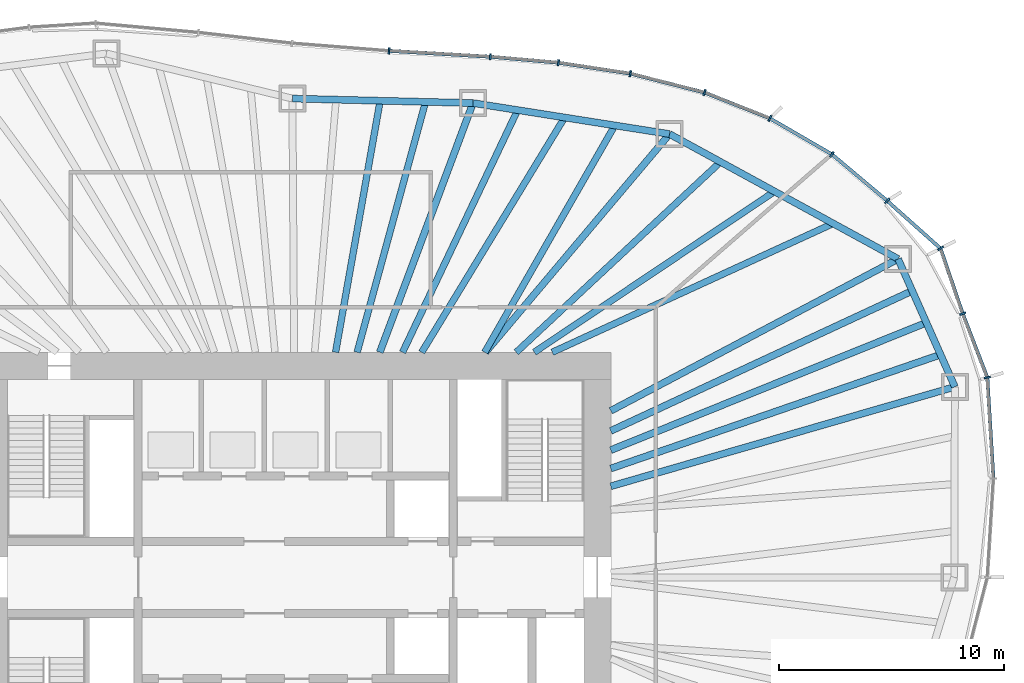
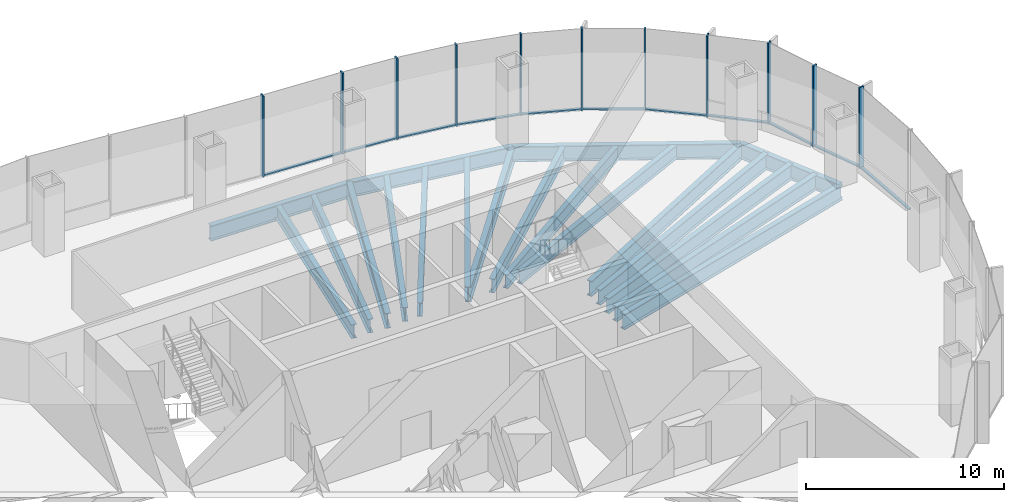
# One storey, part 6 of 18: 22 members, 19 beams, 5 elements without a shape of their own.
"""IFC4 building model written with IfcOpenShell, lengths in metres."""

import ifcopenshell
import ifcopenshell.guid

model = None  # the IFC model being written
_history = None  # IfcOwnerHistory: only IFC2X3 demands one
_inside = {}  # id of a spatial element -> (the spatial element, [elements in it])
_under = {}  # id of a project, library or spatial element -> (it, [spatial elements below it])
_declared = {}  # id of a project -> (the project, [libraries it declares])
_typed = {}  # id of a type object -> (the type object, [elements of that type])
_made_of = {}  # id of a material, layer set ... -> (it, [elements and type objects made of it])


def new_model(schema):
    """Start an empty IFC model of exactly this schema.

    Asked for "IFC4X3", IfcOpenShell would pick the latest addendum, in which some entities
    have other attributes; the version numbers below select the first issue.
    IFC2X3 requires an IfcOwnerHistory on every rooted entity: one is made here for all.
    """
    global model, _history
    if schema == "IFC4X3":
        model = ifcopenshell.file(schema_version=(4, 3, 0, 0))
    else:
        model = ifcopenshell.file(schema=schema)
    _inside.clear()
    _under.clear()
    _declared.clear()
    _typed.clear()
    _made_of.clear()
    _history = None
    if model.schema == "IFC2X3":
        org = make("IfcOrganization", Name="unknown")
        user = make(
            "IfcPersonAndOrganization",
            ThePerson=make("IfcPerson", FamilyName="unknown"),
            TheOrganization=org,
        )
        app = make(
            "IfcApplication",
            ApplicationDeveloper=org,
            Version="unknown",
            ApplicationFullName="unknown",
            ApplicationIdentifier="unknown",
        )
        _history = make(
            "IfcOwnerHistory",
            OwningUser=user,
            OwningApplication=app,
            ChangeAction="ADDED",
            CreationDate=0,
        )
    return model


def make(cls, **values):
    """One entity of the class cls with the attributes given. An attribute that is None is left unset."""
    return model.create_entity(
        cls, **{name: value for name, value in values.items() if value is not None}
    )


def rooted(cls, **values):
    """An entity with a GlobalId (a new one), such as an element, a storey or a relation."""
    return make(cls, GlobalId=ifcopenshell.guid.new(), OwnerHistory=_history, **values)


def si_unit(unit_type, name, prefix=None):
    """IfcSIUnit, for example si_unit("LENGTHUNIT", "METRE", prefix="MILLI")."""
    return make("IfcSIUnit", UnitType=unit_type, Prefix=prefix, Name=name)


def assignment(units):
    """IfcUnitAssignment: the units of a project."""
    return None if units is None else make("IfcUnitAssignment", Units=units)


def point(xyz):
    """IfcCartesianPoint."""
    return None if xyz is None else make("IfcCartesianPoint", Coordinates=xyz)


def direction(xyz):
    """IfcDirection."""
    return None if xyz is None else make("IfcDirection", DirectionRatios=xyz)


def frame(location, z_axis=None, x_axis=None):
    """IfcAxis2Placement3D, a coordinate frame: its origin and axes. An axis left out is left unset."""
    return make(
        "IfcAxis2Placement3D",
        Location=point(location),
        Axis=direction(z_axis),
        RefDirection=direction(x_axis),
    )


def frame_2d(location, x_axis=None):
    """IfcAxis2Placement2D, a coordinate frame in the plane: its origin and x axis."""
    return make(
        "IfcAxis2Placement2D", Location=point(location), RefDirection=direction(x_axis)
    )


def origin():
    """The frame at (0, 0, 0) with its axes left unset."""
    return frame((0.0, 0.0, 0.0))


def origin_2d():
    """The frame at (0, 0) in the plane with its x axis left unset."""
    return frame_2d((0.0, 0.0))


def place(relative_to, where):
    """IfcLocalPlacement: puts the frame where relative to a parent placement (None: the world)."""
    return make(
        "IfcLocalPlacement", PlacementRelTo=relative_to, RelativePlacement=where
    )


def context(
    kind, dimensions, precision=None, world=None, true_north=None, identifier=None
):
    """IfcGeometricRepresentationContext, for example the 3D "Model" context."""
    return make(
        "IfcGeometricRepresentationContext",
        ContextIdentifier=identifier,
        ContextType=kind,
        CoordinateSpaceDimension=dimensions,
        Precision=precision,
        WorldCoordinateSystem=world,
        TrueNorth=true_north,
    )


def subcontext(parent, identifier, kind, view, scale=None):
    """IfcGeometricRepresentationSubContext, for example "Body" below "Model"."""
    return make(
        "IfcGeometricRepresentationSubContext",
        ContextIdentifier=identifier,
        ContextType=kind,
        ParentContext=parent,
        TargetScale=scale,
        TargetView=view,
    )


def project(units=None, contexts=None):
    """IfcProject with its units and contexts."""
    return rooted(
        "IfcProject",
        Name="project",
        RepresentationContexts=contexts,
        UnitsInContext=assignment(units),
    )


def spatial(cls, under=None, at=None, **own):
    """A site, building, storey or space (cls), placed at a placement, below another one or the project."""
    s = rooted(cls, ObjectPlacement=at, **own)
    if under is not None:
        _under.setdefault(under.id(), (under, []))[1].append(s)
    return s


def profile(cls, at=None, kind="AREA", **sizes):
    """A parametric profile (cls). Its sizes go by their IFC names, for example OverallWidth=200.0."""
    return make(cls, ProfileType=kind, Position=at, **sizes)


def rectangle(**sizes):
    """IfcRectangleProfileDef."""
    return profile("IfcRectangleProfileDef", **sizes)


def i_section(**sizes):
    """IfcIShapeProfileDef."""
    return profile("IfcIShapeProfileDef", **sizes)


def extrude(swept, where, along, depth):
    """IfcExtrudedAreaSolid: the profile swept, set in the frame where, extruded along a direction by depth."""
    return make(
        "IfcExtrudedAreaSolid",
        SweptArea=swept,
        Position=where,
        ExtrudedDirection=direction(along),
        Depth=depth,
    )


def shape(context_of_items, identifier, shape_type, items):
    """IfcShapeRepresentation: the items that make up one representation, for example the "Body"."""
    return make(
        "IfcShapeRepresentation",
        ContextOfItems=context_of_items,
        RepresentationIdentifier=identifier,
        RepresentationType=shape_type,
        Items=items,
    )


def material(Name=None, Category=None):
    """IfcMaterial."""
    return make("IfcMaterial", Name=Name, Category=Category)


def material_profile(
    of_material, cross_section, Name=None, Category=None, Priority=None
):
    """IfcMaterialProfile: a cross section and its material."""
    return make(
        "IfcMaterialProfile",
        Name=Name,
        Material=of_material,
        Profile=cross_section,
        Priority=Priority,
        Category=Category,
    )


def profile_set(profiles, Name=None, composite=None):
    """IfcMaterialProfileSet."""
    return make(
        "IfcMaterialProfileSet",
        Name=Name,
        MaterialProfiles=profiles,
        CompositeProfile=composite,
    )


def made_of(thing, what):
    """Note that an element or type object is made of a material, layer set ...; save() writes the relation."""
    if what is not None:
        _made_of.setdefault(what.id(), (what, []))[1].append(thing)
    return thing


def type_object(cls, material=None, **own):
    """A type object (cls), such as IfcWallType, which elements share."""
    return made_of(rooted(cls, **own), material)


def element(
    cls,
    number,
    at=None,
    inside=None,
    cuts=None,
    type_object=None,
    material=None,
    context=None,
    identifier="Body",
    shape_type=None,
    held_by="IfcProductDefinitionShape",
    body=None,
    shapes=None,
    **own,
):
    """One element of the class cls, such as IfcWall. Its Tag is "e" and its number.

    at: its placement. inside: the storey or other place that contains it. cuts: it is an
    opening in that element (IfcRelVoidsElement). A single representation is given by context,
    identifier, shape_type and body (its items); several are given by shapes. held_by: the class
    of the entity that holds the representations. save() writes the other relations.
    """
    e = rooted(cls, Tag="e%d" % number, ObjectPlacement=at, **own)
    if body is not None:
        shapes = [shape(context, identifier, shape_type, body)]
    if shapes is not None:
        e.Representation = make(held_by, Representations=shapes)
    if inside is not None:
        _inside.setdefault(inside.id(), (inside, []))[1].append(e)
    if cuts is not None:
        rooted(
            "IfcRelVoidsElement", RelatingBuildingElement=cuts, RelatedOpeningElement=e
        )
    if type_object is not None:
        _typed.setdefault(type_object.id(), (type_object, []))[1].append(e)
    return made_of(e, material)


def aggregate(whole, parts):
    """IfcRelAggregates: a whole, such as a stair, and the parts it consists of."""
    return rooted("IfcRelAggregates", RelatingObject=whole, RelatedObjects=parts)


def save(model, path):
    """Write the relations noted so far, then the file.

    IfcRelAggregates (storeys below a building ...), IfcRelContainedInSpatialStructure (elements
    in a storey), IfcRelDefinesByType, IfcRelAssociatesMaterial and IfcRelDeclares: one each for
    every whole, place, type object, material and project.
    """
    for whole, parts in _under.values():
        aggregate(whole, parts)
    for where, things in _inside.values():
        rooted(
            "IfcRelContainedInSpatialStructure",
            RelatedElements=things,
            RelatingStructure=where,
        )
    for kind, things in _typed.values():
        rooted("IfcRelDefinesByType", RelatedObjects=things, RelatingType=kind)
    for what, things in _made_of.values():
        rooted("IfcRelAssociatesMaterial", RelatedObjects=things, RelatingMaterial=what)
    for by, libraries in _declared.values():
        rooted("IfcRelDeclares", RelatingContext=by, RelatedDefinitions=libraries)
    model.write(path)


model = new_model("IFC4")

# Units and contexts
model_context = context("Model", 3, precision=1e-05, world=origin(), true_north=direction((0.0, 1.0)))
body_context = subcontext(model_context, "Body", "Model", "MODEL_VIEW")
ifc_project = project(units=[si_unit("LENGTHUNIT", "METRE"), si_unit("AREAUNIT", "SQUARE_METRE"), si_unit("VOLUMEUNIT", "CUBIC_METRE"), si_unit("PLANEANGLEUNIT", "RADIAN"), si_unit("MASSUNIT", "GRAM", prefix="KILO")], contexts=[model_context])

# Site, building, storey
site_placement = place(None, origin())
site = spatial("IfcSite", under=ifc_project, at=site_placement, CompositionType="ELEMENT")
building_placement = place(site_placement, origin())
building = spatial("IfcBuilding", under=site, at=building_placement, Name="Ghaith Harvest Tower", CompositionType="ELEMENT")
storey_placement = place(building_placement, frame((0.0, 0.0, 184.800048828125)))
storey = spatial("IfcBuildingStorey", under=building, at=storey_placement, Name="L40", CompositionType="ELEMENT", Elevation=184.800048828125)

# Curtain wall, members
ifc_material_1 = material(Name="Black anodised aluminium and fritted glass", Category="aluminium")
curtain_wall_type = type_object("IfcCurtainWallType", Name="CW-S CURTAIN WALL", PredefinedType="NOTDEFINED", material=ifc_material_1)
curtain_wall_1_placement = place(storey_placement, origin())
curtain_wall_1 = element("IfcCurtainWall", 1, at=curtain_wall_1_placement, inside=storey, type_object=curtain_wall_type, Name="Curtain wall CW-S bay 02 L40", PredefinedType="NOTDEFINED")
ifc_material_2 = material(Name="Aluminium, black anodised", Category="aluminium")
ifc_material_profile_1 = material_profile(ifc_material_2, rectangle(XDim=0.080078125, YDim=0.280029296875, at=origin_2d()), Name="CW-S MULLION 80x280")
ifc_profile_set_1 = profile_set([ifc_material_profile_1], Name="Aluminium, black anodised")
member_type_1 = type_object("IfcMemberType", Name="CW-S MULLION 80x280", PredefinedType="MULLION", material=ifc_profile_set_1)
member_1_placement = place(storey_placement, frame((30.727294921875, 8.880859375, 0.0), z_axis=(0.0, 0.0, 1.0), x_axis=(-0.183070248196, 0.983099834313, 0.0)))
member_1 = element("IfcMember", 2, at=member_1_placement, type_object=member_type_1, Name="CW-S mullion 1 bay 02 L40", PredefinedType="MULLION", context=body_context, shape_type="SweptSolid", body=[
    extrude(rectangle(XDim=0.080078125, YDim=0.280029296875, at=origin_2d()), origin(), (0.0, 0.0, 1.0), 5.0),
])
member_2_placement = place(storey_placement, frame((29.634521484375, 11.7158203125, 0.0), z_axis=(0.0, 0.0, 1.0), x_axis=(-0.340771198528, 0.940146260033, 0.0)))
member_2 = element("IfcMember", 3, at=member_2_placement, type_object=member_type_1, Name="CW-S mullion 2 bay 02 L40", PredefinedType="MULLION", context=body_context, shape_type="SweptSolid", body=[
    extrude(rectangle(XDim=0.080078125, YDim=0.280029296875, at=origin_2d()), origin(), (0.0, 0.0, 1.0), 5.0),
])
member_3_placement = place(storey_placement, frame((28.64990234375, 14.61181640625, 0.0), z_axis=(0.0, 0.0, 1.0), x_axis=(-0.556324287652, 0.830965274225, 0.0)))
member_3 = element("IfcMember", 4, at=member_3_placement, type_object=member_type_1, Name="CW-S mullion 3 bay 02 L40", PredefinedType="MULLION", context=body_context, shape_type="SweptSolid", body=[
    extrude(rectangle(XDim=0.080078125, YDim=0.280029296875, at=origin_2d()), origin(), (0.0, 0.0, 1.0), 5.0),
])

curtain_wall_2_placement = place(storey_placement, origin())
curtain_wall_2 = element("IfcCurtainWall", 5, at=curtain_wall_2_placement, inside=storey, type_object=curtain_wall_type, Name="Curtain wall CW-S bay 03 L40", PredefinedType="NOTDEFINED")
member_4_placement = place(storey_placement, frame((26.28076171875, 16.725341796875, 0.0), z_axis=(0.0, 0.0, 1.0), x_axis=(-0.755999423268, 0.654572281737, 0.0)))
member_4 = element("IfcMember", 6, at=member_4_placement, type_object=member_type_1, Name="CW-S mullion 1 bay 03 L40", PredefinedType="MULLION", context=body_context, shape_type="SweptSolid", body=[
    extrude(rectangle(XDim=0.080078125, YDim=0.280029296875, at=origin_2d()), origin(), (0.0, 0.0, 1.0), 5.0),
])
member_5_placement = place(storey_placement, frame((23.82177734375, 18.792236328125, 0.0), z_axis=(0.0, 0.0, 1.0), x_axis=(-0.818228862146, 0.574892624018, 0.0)))
member_5 = element("IfcMember", 7, at=member_5_placement, type_object=member_type_1, Name="CW-S mullion 2 bay 03 L40", PredefinedType="MULLION", context=body_context, shape_type="SweptSolid", body=[
    extrude(rectangle(XDim=0.080078125, YDim=0.280029296875, at=origin_2d()), origin(), (0.0, 0.0, 1.0), 5.0),
])
member_6_placement = place(storey_placement, frame((21.066162109375, 20.38916015625, 0.0), z_axis=(0.0, 0.0, 1.0), x_axis=(-0.899713343282, 0.436481270985, 0.0)))
member_6 = element("IfcMember", 8, at=member_6_placement, type_object=member_type_1, Name="CW-S mullion 3 bay 03 L40", PredefinedType="MULLION", context=body_context, shape_type="SweptSolid", body=[
    extrude(rectangle(XDim=0.080078125, YDim=0.280029296875, at=origin_2d()), origin(), (0.0, 0.0, 1.0), 5.0),
])

curtain_wall_3_placement = place(storey_placement, origin())
curtain_wall_3 = element("IfcCurtainWall", 9, at=curtain_wall_3_placement, inside=storey, type_object=curtain_wall_type, Name="Curtain wall CW-S bay 04 L40", PredefinedType="NOTDEFINED")
member_7_placement = place(storey_placement, frame((18.162353515625, 21.537841796875, 0.0), z_axis=(0.0, 0.0, 1.0), x_axis=(-0.952152258113, 0.30562407852, 0.0)))
member_7 = element("IfcMember", 10, at=member_7_placement, type_object=member_type_1, Name="CW-S mullion 1 bay 04 L40", PredefinedType="MULLION", context=body_context, shape_type="SweptSolid", body=[
    extrude(rectangle(XDim=0.080078125, YDim=0.280029296875, at=origin_2d()), origin(), (0.0, 0.0, 1.0), 5.0),
])
member_8_placement = place(storey_placement, frame((14.86474609375, 22.379638671875, 0.0), z_axis=(0.0, 0.0, 1.0), x_axis=(-0.979751952122, 0.200215165041, 0.0)))
member_8 = element("IfcMember", 11, at=member_8_placement, type_object=member_type_1, Name="CW-S mullion 2 bay 04 L40", PredefinedType="MULLION", context=body_context, shape_type="SweptSolid", body=[
    extrude(rectangle(XDim=0.080078125, YDim=0.280029296875, at=origin_2d()), origin(), (0.0, 0.0, 1.0), 5.0),
])
member_9_placement = place(storey_placement, frame((11.672607421875, 22.864013671875, 0.0), z_axis=(0.0, 0.0, 1.0), x_axis=(-0.992800497873, 0.119779678673, 0.0)))
member_9 = element("IfcMember", 12, at=member_9_placement, type_object=member_type_1, Name="CW-S mullion 3 bay 04 L40", PredefinedType="MULLION", context=body_context, shape_type="SweptSolid", body=[
    extrude(rectangle(XDim=0.080078125, YDim=0.280029296875, at=origin_2d()), origin(), (0.0, 0.0, 1.0), 5.0),
])

curtain_wall_4_placement = place(storey_placement, origin())
curtain_wall_4 = element("IfcCurtainWall", 13, at=curtain_wall_4_placement, inside=storey, type_object=curtain_wall_type, Name="Curtain wall CW-S bay 05 L40", PredefinedType="NOTDEFINED")
member_10_placement = place(storey_placement, frame((8.646728515625, 23.1298828125, 0.0), z_axis=(0.0, 0.0, 1.0), x_axis=(-0.997558767319, 0.069831982257, 0.0)))
member_10 = element("IfcMember", 14, at=member_10_placement, type_object=member_type_1, Name="CW-S mullion 1 bay 05 L40", PredefinedType="MULLION", context=body_context, shape_type="SweptSolid", body=[
    extrude(rectangle(XDim=0.080078125, YDim=0.280029296875, at=origin_2d()), origin(), (0.0, 0.0, 1.0), 5.0),
])
member_11_placement = place(storey_placement, frame((4.146728515625, 23.390869140625, 0.0), z_axis=(0.0, 0.0, 1.0), x_axis=(-0.997689895047, 0.067932858925, 0.0)))
member_11 = element("IfcMember", 15, at=member_11_placement, type_object=member_type_1, Name="CW-S mullion 2 bay 05 L40", PredefinedType="MULLION", context=body_context, shape_type="SweptSolid", body=[
    extrude(rectangle(XDim=0.080078125, YDim=0.280029296875, at=origin_2d()), origin(), (0.0, 0.0, 1.0), 5.0),
])

# Curtain wall, member
curtain_wall_5_placement = place(storey_placement, origin())
curtain_wall_5 = element("IfcCurtainWall", 16, at=curtain_wall_5_placement, inside=storey, type_object=curtain_wall_type, Name="Curtain wall CW-S bay 01 L40", PredefinedType="NOTDEFINED")
ifc_material_3 = material(Name="Aluminium, black anodised", Category="aluminium")
ifc_material_profile_2 = material_profile(ifc_material_3, rectangle(XDim=0.159912109375, YDim=0.080078125, at=origin_2d()), Name="CW-S TRANSOM 160x80")
ifc_profile_set_2 = profile_set([ifc_material_profile_2], Name="Aluminium, black anodised")
member_type_2 = type_object("IfcMemberType", Name="CW-S TRANSOM 160x80", PredefinedType="USERDEFINED", material=ifc_profile_set_2)
member_12_placement = place(storey_placement, frame((30.996337890625, 4.4296875, 0.0400390625), z_axis=(-0.060328261132, 0.99817859169, 0.0), x_axis=(-0.99817859169, -0.060328261132, 0.0)))
member_12 = element("IfcMember", 17, at=member_12_placement, type_object=member_type_2, Name="CW-S transom 2 bay 01 L40", ObjectType="TRANSOM", PredefinedType="USERDEFINED", context=body_context, shape_type="SweptSolid", body=[
    extrude(rectangle(XDim=0.159912109375, YDim=0.080078125, at=origin_2d()), origin(), (0.0, 0.0, 1.0), 4.419189453125),
])
aggregate(curtain_wall_5, [member_12])

# Member
member_13_placement = place(storey_placement, frame((30.712890625, 8.918212890625, 0.0400390625), z_axis=(-0.359637050526, 0.933092274048, 0.0), x_axis=(-0.933092274048, -0.359637050526, 0.0)))
member_13 = element("IfcMember", 18, at=member_13_placement, type_object=member_type_2, Name="CW-S transom 1 bay 02 L40", ObjectType="TRANSOM", PredefinedType="USERDEFINED", context=body_context, shape_type="SweptSolid", body=[
    extrude(rectangle(XDim=0.159912109375, YDim=0.080078125, at=origin_2d()), origin(), (0.0, 0.0, 1.0), 2.95849609375),
])

member_14_placement = place(storey_placement, frame((29.62158203125, 11.75390625, 0.0400390625), z_axis=(-0.321877752664, 0.946781237847, 0.0), x_axis=(-0.946781237847, -0.321877752664, 0.0)))
member_14 = element("IfcMember", 19, at=member_14_placement, type_object=member_type_2, Name="CW-S transom 2 bay 02 L40", ObjectType="TRANSOM", PredefinedType="USERDEFINED", context=body_context, shape_type="SweptSolid", body=[
    extrude(rectangle(XDim=0.159912109375, YDim=0.080078125, at=origin_2d()), origin(), (0.0, 0.0, 1.0), 2.978515625),
])

member_15_placement = place(storey_placement, frame((28.6201171875, 14.638427734375, 0.0400390625), z_axis=(-0.74622871112, 0.665689650438, 0.0), x_axis=(-0.665689650438, -0.74622871112, 0.0)))
member_15 = element("IfcMember", 20, at=member_15_placement, type_object=member_type_2, Name="CW-S transom 3 bay 02 L40", ObjectType="TRANSOM", PredefinedType="USERDEFINED", context=body_context, shape_type="SweptSolid", body=[
    extrude(rectangle(XDim=0.159912109375, YDim=0.080078125, at=origin_2d()), origin(), (0.0, 0.0, 1.0), 3.094970703125),
])

aggregate(curtain_wall_1, [member_1, member_13, member_2, member_14, member_3, member_15])

member_16_placement = place(storey_placement, frame((26.25, 16.7509765625, 0.0400390625), z_axis=(-0.765428400685, 0.643521066808, 0.0), x_axis=(-0.643521066808, -0.765428400685, 0.0)))
member_16 = element("IfcMember", 21, at=member_16_placement, type_object=member_type_2, Name="CW-S transom 1 bay 03 L40", ObjectType="TRANSOM", PredefinedType="USERDEFINED", context=body_context, shape_type="SweptSolid", body=[
    extrude(rectangle(XDim=0.159912109375, YDim=0.080078125, at=origin_2d()), origin(), (0.0, 0.0, 1.0), 3.132080078125),
])

member_17_placement = place(storey_placement, frame((23.787353515625, 18.812255859375, 0.0400390625), z_axis=(-0.865212673937, 0.50140505468, 0.0), x_axis=(-0.50140505468, -0.865212673937, 0.0)))
member_17 = element("IfcMember", 22, at=member_17_placement, type_object=member_type_2, Name="CW-S transom 2 bay 03 L40", ObjectType="TRANSOM", PredefinedType="USERDEFINED", context=body_context, shape_type="SweptSolid", body=[
    extrude(rectangle(XDim=0.159912109375, YDim=0.080078125, at=origin_2d()), origin(), (0.0, 0.0, 1.0), 3.10498046875),
])

member_18_placement = place(storey_placement, frame((21.029052734375, 20.40380859375, 0.0400390625), z_axis=(-0.929880954826, 0.367860584804, 0.0), x_axis=(-0.367860584804, -0.929880954826, 0.0)))
member_18 = element("IfcMember", 23, at=member_18_placement, type_object=member_type_2, Name="CW-S transom 3 bay 03 L40", ObjectType="TRANSOM", PredefinedType="USERDEFINED", context=body_context, shape_type="SweptSolid", body=[
    extrude(rectangle(XDim=0.159912109375, YDim=0.080078125, at=origin_2d()), origin(), (0.0, 0.0, 1.0), 3.04296875),
])

aggregate(curtain_wall_2, [member_4, member_16, member_5, member_17, member_6, member_18])

member_19_placement = place(storey_placement, frame((18.12353515625, 21.5478515625, 0.0400390625), z_axis=(-0.968942433805, 0.247286392614, 0.0), x_axis=(-0.247286392614, -0.968942433805, 0.0)))
member_19 = element("IfcMember", 24, at=member_19_placement, type_object=member_type_2, Name="CW-S transom 1 bay 04 L40", ObjectType="TRANSOM", PredefinedType="USERDEFINED", context=body_context, shape_type="SweptSolid", body=[
    extrude(rectangle(XDim=0.159912109375, YDim=0.080078125, at=origin_2d()), origin(), (0.0, 0.0, 1.0), 3.3232421875),
])

member_20_placement = place(storey_placement, frame((14.8251953125, 22.3857421875, 0.0400390625), z_axis=(-0.988680676153, 0.150035064572, 0.0), x_axis=(-0.150035064572, -0.988680676153, 0.0)))
member_20 = element("IfcMember", 25, at=member_20_placement, type_object=member_type_2, Name="CW-S transom 2 bay 04 L40", ObjectType="TRANSOM", PredefinedType="USERDEFINED", context=body_context, shape_type="SweptSolid", body=[
    extrude(rectangle(XDim=0.159912109375, YDim=0.080078125, at=origin_2d()), origin(), (0.0, 0.0, 1.0), 3.148681640625),
])

member_21_placement = place(storey_placement, frame((11.632568359375, 22.86767578125, 0.0400390625), z_axis=(-0.996171193061, 0.087423990507, 0.0), x_axis=(-0.087423990507, -0.996171193061, 0.0)))
member_21 = element("IfcMember", 26, at=member_21_placement, type_object=member_type_2, Name="CW-S transom 3 bay 04 L40", ObjectType="TRANSOM", PredefinedType="USERDEFINED", context=body_context, shape_type="SweptSolid", body=[
    extrude(rectangle(XDim=0.159912109375, YDim=0.080078125, at=origin_2d()), origin(), (0.0, 0.0, 1.0), 2.957275390625),
])

aggregate(curtain_wall_3, [member_7, member_19, member_8, member_20, member_9, member_21])

member_22_placement = place(storey_placement, frame((8.60693359375, 23.132080078125, 0.0400390625), z_axis=(-0.998319515187, 0.057949509028, 0.0), x_axis=(-0.057949509028, -0.998319515187, 0.0)))
member_22 = element("IfcMember", 27, at=member_22_placement, type_object=member_type_2, Name="CW-S transom 1 bay 05 L40", ObjectType="TRANSOM", PredefinedType="USERDEFINED", context=body_context, shape_type="SweptSolid", body=[
    extrude(rectangle(XDim=0.159912109375, YDim=0.080078125, at=origin_2d()), origin(), (0.0, 0.0, 1.0), 4.427734375),
])

aggregate(curtain_wall_4, [member_10, member_22, member_11])

# Beams
ifc_material_4 = material(Name="Steel ASTM A992 Grade 50", Category="steel")
ifc_material_profile_3 = material_profile(ifc_material_4, i_section(OverallWidth=0.306884765625, OverallDepth=0.94189453125, WebThickness=0.022216796875, FlangeThickness=0.039794921875, at=origin_2d()), Name="W920X345")
ifc_profile_set_3 = profile_set([ifc_material_profile_3], Name="Steel ASTM A992 Grade 50")
beam_type_1 = type_object("IfcBeamType", Name="E920-345 W920X345", PredefinedType="SPANDREL", material=ifc_profile_set_3)
beam_1_placement = place(storey_placement, frame((29.285888671875, 8.464111328125, -0.696044921875), z_axis=(-0.405635615749, 0.914034872002, 0.0), x_axis=(-0.914034872002, -0.405635615749, 0.0)))
element("IfcBeam", 28, at=beam_1_placement, inside=storey, type_object=beam_type_1, Name="Edge beam E02 L40", PredefinedType="SPANDREL", context=body_context, shape_type="SweptSolid", body=[
    extrude(i_section(OverallWidth=0.306884765625, OverallDepth=0.94189453125, WebThickness=0.022216796875, FlangeThickness=0.039794921875, at=origin_2d()), origin(), (0.0, 0.0, 1.0), 6.21728515625),
])
beam_2_placement = place(storey_placement, frame((26.763916015625, 14.14697265625, -0.696044921875), z_axis=(-0.877588218279, 0.479415184509, 0.0), x_axis=(-0.479415184509, -0.877588218279, 0.0)))
element("IfcBeam", 29, at=beam_2_placement, inside=storey, type_object=beam_type_1, Name="Edge beam E03 L40", PredefinedType="SPANDREL", context=body_context, shape_type="SweptSolid", body=[
    extrude(i_section(OverallWidth=0.306884765625, OverallDepth=0.94189453125, WebThickness=0.022216796875, FlangeThickness=0.039794921875, at=origin_2d()), origin(), (0.0, 0.0, 1.0), 11.57275390625),
])
beam_3_placement = place(storey_placement, frame((16.60791015625, 19.695068359375, -0.696044921875), z_axis=(-0.987788485872, 0.155800857439, 0.0), x_axis=(-0.155800857439, -0.987788485872, 0.0)))
element("IfcBeam", 30, at=beam_3_placement, inside=storey, type_object=beam_type_1, Name="Edge beam E04 L40", PredefinedType="SPANDREL", context=body_context, shape_type="SweptSolid", body=[
    extrude(i_section(OverallWidth=0.306884765625, OverallDepth=0.94189453125, WebThickness=0.022216796875, FlangeThickness=0.039794921875, at=origin_2d()), origin(), (0.0, 0.0, 1.0), 8.837890625),
])
beam_4_placement = place(storey_placement, frame((7.8779296875, 21.072021484375, -0.696044921875), z_axis=(-0.999692679676, 0.024790042413, 0.0), x_axis=(-0.024790042413, -0.999692679676, 0.0)))
element("IfcBeam", 31, at=beam_4_placement, inside=storey, type_object=beam_type_1, Name="Edge beam E05 L40", PredefinedType="SPANDREL", context=body_context, shape_type="SweptSolid", body=[
    extrude(i_section(OverallWidth=0.306884765625, OverallDepth=0.94189453125, WebThickness=0.022216796875, FlangeThickness=0.039794921875, at=origin_2d()), origin(), (0.0, 0.0, 1.0), 8.0263671875),
])
ifc_material_5 = material(Name="Steel ASTM A992 Grade 50", Category="steel")
ifc_material_profile_4 = material_profile(ifc_material_5, i_section(OverallWidth=0.31005859375, OverallDepth=0.927001953125, WebThickness=0.019287109375, FlangeThickness=0.031982421875, at=origin_2d()), Name="W920X289")
ifc_profile_set_4 = profile_set([ifc_material_profile_4], Name="Steel ASTM A992 Grade 50")
beam_type_2 = type_object("IfcBeamType", Name="G920-289 W920X289", PredefinedType="BEAM", material=ifc_profile_set_4)
beam_5_placement = place(storey_placement, frame((3.73828125, 10.0, -0.6884765625), z_axis=(0.350206582147, 0.936672488024, 0.0), x_axis=(-0.936672488024, 0.350206582147, 0.0)))
element("IfcBeam", 32, at=beam_5_placement, inside=storey, type_object=beam_type_2, Name="Radial girder G05 L40", PredefinedType="BEAM", context=body_context, shape_type="SweptSolid", body=[
    extrude(i_section(OverallWidth=0.31005859375, OverallDepth=0.927001953125, WebThickness=0.019287109375, FlangeThickness=0.031982421875, at=origin_2d()), origin(), (0.0, 0.0, 1.0), 11.820556640625),
])
ifc_material_6 = material(Name="Steel ASTM A992 Grade 50", Category="steel")
ifc_material_profile_5 = material_profile(ifc_material_6, i_section(OverallWidth=0.306884765625, OverallDepth=0.94189453125, WebThickness=0.022216796875, FlangeThickness=0.039794921875, at=origin_2d()), Name="W920X345")
ifc_profile_set_5 = profile_set([ifc_material_profile_5], Name="Steel ASTM A992 Grade 50")
beam_type_3 = type_object("IfcBeamType", Name="G920-345 W920X345", PredefinedType="BEAM", material=ifc_profile_set_5)
beam_6_placement = place(storey_placement, frame((14.0, 4.04638671875, -0.696044921875), z_axis=(0.960683993303, 0.27764413376, 0.0), x_axis=(-0.27764413376, 0.960683993303, 0.0)))
element("IfcBeam", 33, at=beam_6_placement, inside=storey, type_object=beam_type_3, Name="Radial girder G02 L40", PredefinedType="BEAM", context=body_context, shape_type="SweptSolid", body=[
    extrude(i_section(OverallWidth=0.306884765625, OverallDepth=0.94189453125, WebThickness=0.022216796875, FlangeThickness=0.039794921875, at=origin_2d()), origin(), (0.0, 0.0, 1.0), 15.911376953125),
])
beam_7_placement = place(storey_placement, frame((14.0, 7.39990234375, -0.696044921875), z_axis=(0.884082663971, 0.467330550324, 0.0), x_axis=(-0.467330550324, 0.884082663971, 0.0)))
element("IfcBeam", 34, at=beam_7_placement, inside=storey, type_object=beam_type_3, Name="Radial girder G03 L40", PredefinedType="BEAM", context=body_context, shape_type="SweptSolid", body=[
    extrude(i_section(OverallWidth=0.306884765625, OverallDepth=0.94189453125, WebThickness=0.022216796875, FlangeThickness=0.039794921875, at=origin_2d()), origin(), (0.0, 0.0, 1.0), 14.4375),
])
beam_8_placement = place(storey_placement, frame((8.4326171875, 10.0, -0.696044921875), z_axis=(0.644644245772, 0.764482698557, 0.0), x_axis=(-0.764482698557, 0.644644245772, 0.0)))
element("IfcBeam", 35, at=beam_8_placement, inside=storey, type_object=beam_type_3, Name="Radial girder G04 L40", PredefinedType="BEAM", context=body_context, shape_type="SweptSolid", body=[
    extrude(i_section(OverallWidth=0.306884765625, OverallDepth=0.94189453125, WebThickness=0.022216796875, FlangeThickness=0.039794921875, at=origin_2d()), origin(), (0.0, 0.0, 1.0), 12.681884765625),
])
ifc_material_7 = material(Name="Steel ASTM A992 Grade 50", Category="steel")
ifc_material_profile_6 = material_profile(ifc_material_7, i_section(OverallWidth=0.2939453125, OverallDepth=0.85107421875, WebThickness=0.01611328125, FlangeThickness=0.02685546875, at=origin_2d()), Name="W840X226")
ifc_profile_set_6 = profile_set([ifc_material_profile_6], Name="Steel ASTM A992 Grade 50")
beam_type_4 = type_object("IfcBeamType", Name="J840-226 W840X226", PredefinedType="JOIST", material=ifc_profile_set_6)
beam_9_placement = place(storey_placement, frame((11.39990234375, 10.0, -0.650634765625), z_axis=(0.909014022454, 0.416765529983, 0.0), x_axis=(-0.416765529983, 0.909014022454, 0.0)))
element("IfcBeam", 36, at=beam_9_placement, inside=storey, type_object=beam_type_4, Name="Joist J03.1 L40", PredefinedType="JOIST", context=body_context, shape_type="SweptSolid", body=[
    extrude(i_section(OverallWidth=0.2939453125, OverallDepth=0.85107421875, WebThickness=0.01611328125, FlangeThickness=0.02685546875, at=origin_2d()), origin(), (0.0, 0.0, 1.0), 13.72998046875),
])
beam_10_placement = place(storey_placement, frame((10.60009765625, 10.0, -0.650634765625), z_axis=(0.831116486766, 0.556098359489, 0.0), x_axis=(-0.556098359489, 0.831116486766, 0.0)))
element("IfcBeam", 37, at=beam_10_placement, inside=storey, type_object=beam_type_4, Name="Joist J03.2 L40", PredefinedType="JOIST", context=body_context, shape_type="SweptSolid", body=[
    extrude(i_section(OverallWidth=0.2939453125, OverallDepth=0.85107421875, WebThickness=0.01611328125, FlangeThickness=0.02685546875, at=origin_2d()), origin(), (0.0, 0.0, 1.0), 12.84716796875),
])
beam_11_placement = place(storey_placement, frame((9.800048828125, 10.0, -0.650634765625), z_axis=(0.731538123562, 0.681800538116, 0.0), x_axis=(-0.681800538116, 0.731538123562, 0.0)))
element("IfcBeam", 38, at=beam_11_placement, inside=storey, type_object=beam_type_4, Name="Joist J03.3 L40", PredefinedType="JOIST", context=body_context, shape_type="SweptSolid", body=[
    extrude(i_section(OverallWidth=0.2939453125, OverallDepth=0.85107421875, WebThickness=0.01611328125, FlangeThickness=0.02685546875, at=origin_2d()), origin(), (0.0, 0.0, 1.0), 12.404052734375),
])
beam_12_placement = place(storey_placement, frame((8.39990234375, 10.0, -0.650634765625), z_axis=(0.497444212127, 0.867495968764, 0.0), x_axis=(-0.867495968764, 0.497444212127, 0.0)))
element("IfcBeam", 39, at=beam_12_placement, inside=storey, type_object=beam_type_4, Name="Joist J04.1 L40", PredefinedType="JOIST", context=body_context, shape_type="SweptSolid", body=[
    extrude(i_section(OverallWidth=0.2939453125, OverallDepth=0.85107421875, WebThickness=0.01611328125, FlangeThickness=0.02685546875, at=origin_2d()), origin(), (0.0, 0.0, 1.0), 11.617431640625),
])
beam_13_placement = place(storey_placement, frame((5.60009765625, 10.0, -0.650634765625), z_axis=(0.519863845761, 0.854249133374, 0.0), x_axis=(-0.854249133374, 0.519863845761, 0.0)))
element("IfcBeam", 40, at=beam_13_placement, inside=storey, type_object=beam_type_4, Name="Joist J04.2 L40", PredefinedType="JOIST", context=body_context, shape_type="SweptSolid", body=[
    extrude(i_section(OverallWidth=0.2939453125, OverallDepth=0.85107421875, WebThickness=0.01611328125, FlangeThickness=0.02685546875, at=origin_2d()), origin(), (0.0, 0.0, 1.0), 12.209716796875),
])
beam_14_placement = place(storey_placement, frame((4.75, 10.0, -0.650634765625), z_axis=(0.429069356877, 0.903271546651, 0.0), x_axis=(-0.903271546651, 0.429069356877, 0.0)))
element("IfcBeam", 41, at=beam_14_placement, inside=storey, type_object=beam_type_4, Name="Joist J04.3 L40", PredefinedType="JOIST", context=body_context, shape_type="SweptSolid", body=[
    extrude(i_section(OverallWidth=0.2939453125, OverallDepth=0.85107421875, WebThickness=0.01611328125, FlangeThickness=0.02685546875, at=origin_2d()), origin(), (0.0, 0.0, 1.0), 11.911376953125),
])
beam_15_placement = place(storey_placement, frame((2.73095703125, 10.0, -0.650634765625), z_axis=(0.263455967932, 0.964671422279, 0.0), x_axis=(-0.964671422279, 0.263455967932, 0.0)))
element("IfcBeam", 42, at=beam_15_placement, inside=storey, type_object=beam_type_4, Name="Joist J05.1 L40", PredefinedType="JOIST", context=body_context, shape_type="SweptSolid", body=[
    extrude(i_section(OverallWidth=0.2939453125, OverallDepth=0.85107421875, WebThickness=0.01611328125, FlangeThickness=0.02685546875, at=origin_2d()), origin(), (0.0, 0.0, 1.0), 11.53173828125),
])
beam_16_placement = place(storey_placement, frame((1.772705078125, 10.0, -0.650634765625), z_axis=(0.17455599258, 0.984647249249, 0.0), x_axis=(-0.984647249249, 0.17455599258, 0.0)))
element("IfcBeam", 43, at=beam_16_placement, inside=storey, type_object=beam_type_4, Name="Joist J05.2 L40", PredefinedType="JOIST", context=body_context, shape_type="SweptSolid", body=[
    extrude(i_section(OverallWidth=0.2939453125, OverallDepth=0.85107421875, WebThickness=0.01611328125, FlangeThickness=0.02685546875, at=origin_2d()), origin(), (0.0, 0.0, 1.0), 11.3486328125),
])
ifc_material_8 = material(Name="Steel ASTM A992 Grade 50", Category="steel")
ifc_material_profile_7 = material_profile(ifc_material_8, i_section(OverallWidth=0.31005859375, OverallDepth=0.927001953125, WebThickness=0.019287109375, FlangeThickness=0.031982421875, at=origin_2d()), Name="W920X289")
ifc_profile_set_7 = profile_set([ifc_material_profile_7], Name="Steel ASTM A992 Grade 50")
beam_type_5 = type_object("IfcBeamType", Name="J920-289 W920X289", PredefinedType="JOIST", material=ifc_profile_set_7)
beam_17_placement = place(storey_placement, frame((14.0, 4.835693359375, -0.6884765625), z_axis=(0.945204964965, 0.32647752481, 0.0), x_axis=(-0.32647752481, 0.945204964965, 0.0)))
element("IfcBeam", 44, at=beam_17_placement, inside=storey, type_object=beam_type_5, Name="Joist J02.1 L40", PredefinedType="JOIST", context=body_context, shape_type="SweptSolid", body=[
    extrude(i_section(OverallWidth=0.31005859375, OverallDepth=0.927001953125, WebThickness=0.019287109375, FlangeThickness=0.031982421875, at=origin_2d()), origin(), (0.0, 0.0, 1.0), 15.499755859375),
])
beam_18_placement = place(storey_placement, frame((14.0, 5.653564453125, -0.6884765625), z_axis=(0.927247874511, 0.374448099495, 0.0), x_axis=(-0.374448099495, 0.927247874511, 0.0)))
element("IfcBeam", 45, at=beam_18_placement, inside=storey, type_object=beam_type_5, Name="Joist J02.2 L40", PredefinedType="JOIST", context=body_context, shape_type="SweptSolid", body=[
    extrude(i_section(OverallWidth=0.31005859375, OverallDepth=0.927001953125, WebThickness=0.019287109375, FlangeThickness=0.031982421875, at=origin_2d()), origin(), (0.0, 0.0, 1.0), 15.12060546875),
])
beam_19_placement = place(storey_placement, frame((14.0, 6.506103515625, -0.6884765625), z_axis=(0.906865717917, 0.42141970726, 0.0), x_axis=(-0.42141970726, 0.906865717917, 0.0)))
element("IfcBeam", 46, at=beam_19_placement, inside=storey, type_object=beam_type_5, Name="Joist J02.3 L40", PredefinedType="JOIST", context=body_context, shape_type="SweptSolid", body=[
    extrude(i_section(OverallWidth=0.31005859375, OverallDepth=0.927001953125, WebThickness=0.019287109375, FlangeThickness=0.031982421875, at=origin_2d()), origin(), (0.0, 0.0, 1.0), 14.768310546875),
])

save(model, "model.ifc")
